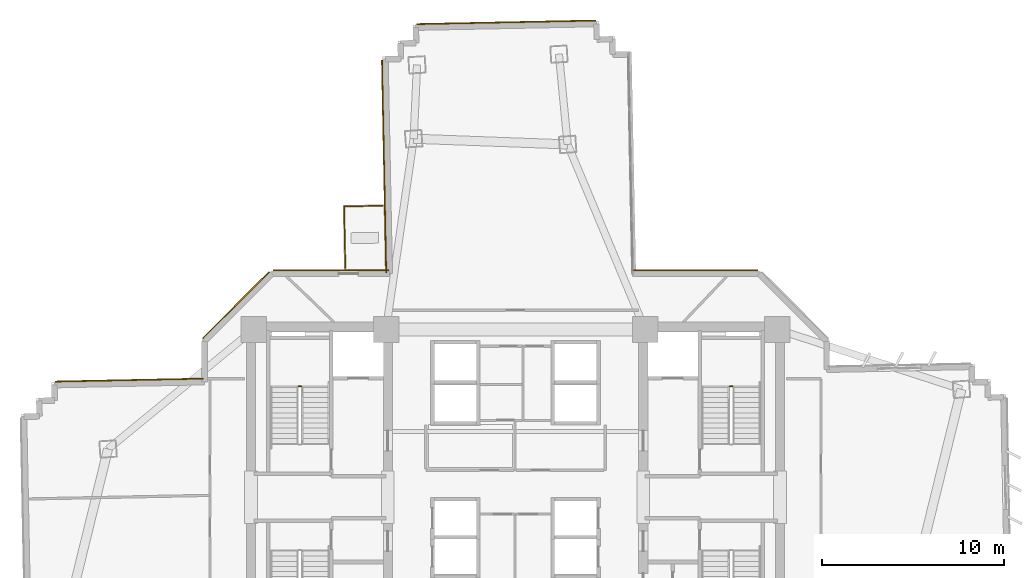
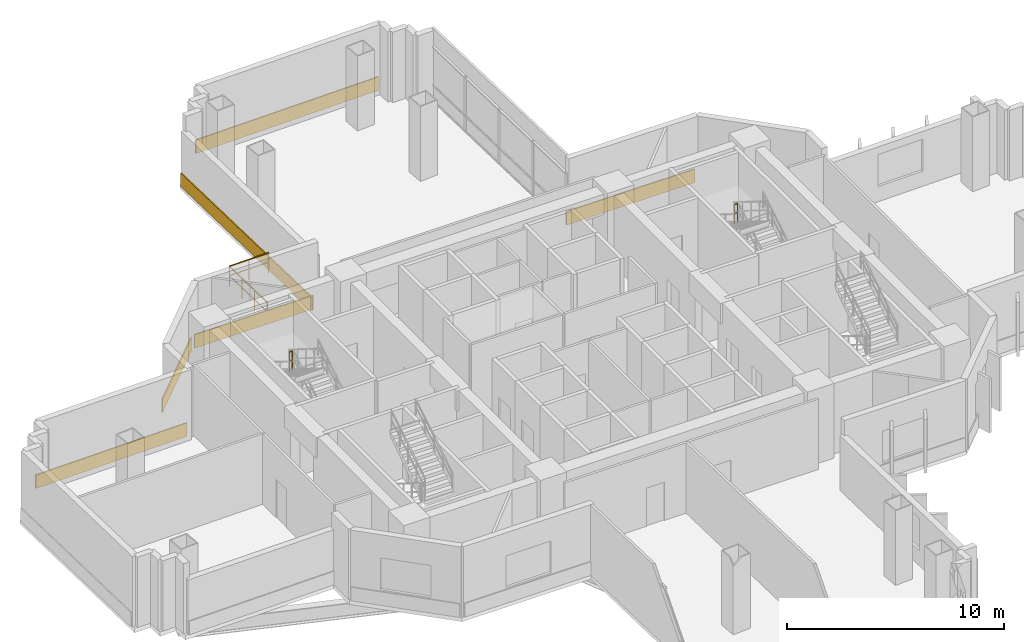
# One storey, part 14 of 15: 6 coverings, 4 railings.
"""IFC4 building model written with IfcOpenShell, lengths in metres."""

from ifc_helpers import new_model, si_unit, direction, frame, origin, origin_2d, place, context, subcontext, project, spatial, rectangle, extrude, source, transform, mapped, material, layer, layer_set, type_object, element, save


model = new_model("IFC4")

# Units and contexts
model_context = context("Model", 3, precision=1e-05, world=origin(), true_north=direction((0.0, 1.0)))
body_context = subcontext(model_context, "Body", "Model", "MODEL_VIEW")
ifc_project = project(units=[si_unit("LENGTHUNIT", "METRE"), si_unit("AREAUNIT", "SQUARE_METRE"), si_unit("VOLUMEUNIT", "CUBIC_METRE"), si_unit("PLANEANGLEUNIT", "RADIAN"), si_unit("MASSUNIT", "GRAM", prefix="KILO")], contexts=[model_context])

# Site, building, storey
site_placement = place(None, origin())
site = spatial("IfcSite", under=ifc_project, at=site_placement, CompositionType="ELEMENT")
building_placement = place(site_placement, origin())
building = spatial("IfcBuilding", under=site, at=building_placement, Name="Zahravan Cultural Tower", CompositionType="ELEMENT")
storey_placement = place(building_placement, frame((0.0, 0.0, 41.699951171875)))
storey = spatial("IfcBuildingStorey", under=building, at=storey_placement, Name="L08", CompositionType="ELEMENT", Elevation=41.699951171875)

# Railings
ifc_material_1 = material(Name="Steel ASTM A572 Grade 50", Category="steel")
railing_type_1 = type_object("IfcRailingType", Name="RL-BAL-1150", PredefinedType="BALUSTRADE", material=ifc_material_1)
railing_1_placement = place(storey_placement, frame((26.600830078125, 42.9462890625, 0.0)))
element("IfcRailing", 1, at=railing_1_placement, inside=storey, type_object=railing_type_1, Name="L08 Edge Balustrade GRD-TR-L08-NW-01", PredefinedType="BALUSTRADE", context=body_context, shape_type="SweptSolid", body=[
    extrude(rectangle(XDim=0.05, YDim=0.05, at=origin_2d()), frame((0.0, 0.0, 1.125), z_axis=(0.99980468136, 0.019763580911, 0.0), x_axis=(-0.019763580911, 0.99980468136, 0.0)), (0.0, 0.0, 1.0), 2.10009765625),
    extrude(rectangle(XDim=0.032, YDim=0.032, at=origin_2d()), frame((0.0, 0.0, 0.597900390625), z_axis=(0.99980468136, 0.019763580911, 0.0), x_axis=(-0.019763580911, 0.99980468136, 0.0)), (0.0, 0.0, 1.0), 2.10009765625),
    extrude(rectangle(XDim=0.04, YDim=0.04, at=origin_2d()), origin(), (0.0, 0.0, 1.0), 1.14990234375),
    extrude(rectangle(XDim=0.04, YDim=0.04, at=origin_2d()), frame((1.0498046875, 0.020751953125, 0.0)), (0.0, 0.0, 1.0), 1.14990234375),
    extrude(rectangle(XDim=0.04, YDim=0.04, at=origin_2d()), frame((2.099609375, 0.04150390625, 0.0)), (0.0, 0.0, 1.0), 1.14990234375),
])
railing_2_placement = place(storey_placement, frame((26.667724609375, 39.580078125, 0.0)))
element("IfcRailing", 2, at=railing_2_placement, inside=storey, type_object=railing_type_1, Name="L08 Edge Balustrade GRD-TR-L08-NW-02", PredefinedType="BALUSTRADE", context=body_context, shape_type="SweptSolid", body=[
    extrude(rectangle(XDim=0.05, YDim=0.05, at=origin_2d()), frame((0.0, 0.0, 1.125), z_axis=(-0.019868430033, 0.999802603261, 0.0), x_axis=(-0.999802603261, -0.019868430033, 0.0)), (0.0, 0.0, 1.0), 3.366943359375),
    extrude(rectangle(XDim=0.032, YDim=0.032, at=origin_2d()), frame((0.0, 0.0, 0.597900390625), z_axis=(-0.019868430033, 0.999802603261, 0.0), x_axis=(-0.999802603261, -0.019868430033, 0.0)), (0.0, 0.0, 1.0), 3.366943359375),
    extrude(rectangle(XDim=0.04, YDim=0.04, at=origin_2d()), origin(), (0.0, 0.0, 1.0), 1.14990234375),
    extrude(rectangle(XDim=0.04, YDim=0.04, at=origin_2d()), frame((-0.022216796875, 1.1220703125, 0.0)), (0.0, 0.0, 1.0), 1.14990234375),
    extrude(rectangle(XDim=0.04, YDim=0.04, at=origin_2d()), frame((-0.044677734375, 2.244140625, 0.0)), (0.0, 0.0, 1.0), 1.14990234375),
    extrude(rectangle(XDim=0.04, YDim=0.04, at=origin_2d()), frame((-0.06689453125, 3.3662109375, 0.0)), (0.0, 0.0, 1.0), 1.14990234375),
])
railing_type_2 = type_object("IfcRailingType", Name="RL-STAIR-GRD1150", PredefinedType="BALUSTRADE", material=ifc_material_1)
for number, where, name in (
    (3, (24.25, 33.080078125, 2.10009765625), "L08 ST-W1 stair guard 2"),
    (4, (47.89990234375, 33.080078125, 2.10009765625), "L08 ST-E1 stair guard 2"),
):
    element("IfcRailing", number, at=place(storey_placement, frame(where)), inside=storey, type_object=railing_type_2, Name=name, PredefinedType="BALUSTRADE", context=body_context, shape_type="SweptSolid", body=[
        extrude(rectangle(XDim=0.05, YDim=0.05, at=origin_2d()), frame((0.0, 0.0, 1.0751953125), z_axis=(-1.0, 0.0, 0.0), x_axis=(0.0, -1.0, 0.0)), (0.0, 0.0, 1.0), 0.14990234375),
        extrude(rectangle(XDim=0.032, YDim=0.032, at=origin_2d()), frame((0.0, 0.0, 0.572021484375), z_axis=(-1.0, 0.0, 0.0), x_axis=(0.0, -1.0, 0.0)), (0.0, 0.0, 1.0), 0.14990234375),
        extrude(rectangle(XDim=0.04, YDim=0.04, at=origin_2d()), origin(), (0.0, 0.0, 1.0), 1.10009765625),
        extrude(rectangle(XDim=0.04, YDim=0.04, at=origin_2d()), frame((-0.14990234375, 0.0, 0.0)), (0.0, 0.0, 1.0), 1.10009765625),
    ])

# Coverings
ifc_material_2 = material(Name="Terracotta ceramic cladding", Category="masonry")
ifc_layer = layer(ifc_material_2, 0.06005859375)
ifc_layer_set = layer_set([ifc_layer], Name="Terracotta ceramic cladding")
covering_type = type_object("IfcCoveringType", Name="COV-CLAD-TC60", PredefinedType="CLADDING", material=ifc_layer_set)
shared_shape_1 = source(origin(), body_context, "Body", "SweptSolid", [
    extrude(rectangle(XDim=9.820068359375, YDim=0.06005859375, at=origin_2d()), origin(), (0.0, 0.0, 1.0), 0.760009765625),
])
covering_1_placement = place(storey_placement, frame((35.481689453125, 53.039794921875, 0.02001953125), z_axis=(0.0, 0.0, 1.0), x_axis=(0.999802066131, 0.019895440708, 0.0)))
element("IfcCovering", 5, at=covering_1_placement, inside=storey, type_object=covering_type, Name="L08 Terracotta Spandrel Cladding 47", PredefinedType="CLADDING", context=body_context, shape_type="MappedRepresentation", body=[
    mapped(shared_shape_1, transform((0.0, 0.0, 0.0), x_axis=(1.0, 0.0, 0.0), y_axis=(0.0, 1.0, 0.0), z_axis=(0.0, 0.0, 1.0), scale=1.0)),
])
shared_shape_2 = source(origin(), body_context, "Body", "SweptSolid", [
    extrude(rectangle(XDim=5.157958984375, YDim=0.06005859375, at=origin_2d()), origin(), (0.0, 0.0, 1.0), 0.760009765625),
])
covering_2_placement = place(storey_placement, frame((20.668212890625, 37.53173828125, 0.02001953125), z_axis=(0.0, 0.0, 1.0), x_axis=(0.707106781187, 0.707106781187, 0.0)))
element("IfcCovering", 6, at=covering_2_placement, inside=storey, type_object=covering_type, Name="L08 Terracotta Spandrel Cladding 40", PredefinedType="CLADDING", context=body_context, shape_type="MappedRepresentation", body=[
    mapped(shared_shape_2, transform((0.0, 0.0, 0.0), x_axis=(1.0, 0.0, 0.0), y_axis=(0.0, 1.0, 0.0), z_axis=(0.0, 0.0, 1.0), scale=1.0)),
])
shared_shape_3 = source(origin(), body_context, "Body", "SweptSolid", [
    extrude(rectangle(XDim=8.129150390625, YDim=0.06005859375, at=origin_2d()), origin(), (0.0, 0.0, 1.0), 0.760009765625),
])
covering_3_placement = place(storey_placement, frame((14.822509765625, 33.425048828125, 0.02001953125), z_axis=(0.0, 0.0, 1.0), x_axis=(0.999801718737, 0.019912890543, 0.0)))
element("IfcCovering", 7, at=covering_3_placement, inside=storey, type_object=covering_type, Name="L08 Terracotta Spandrel Cladding 38", PredefinedType="CLADDING", context=body_context, shape_type="MappedRepresentation", body=[
    mapped(shared_shape_3, transform((0.0, 0.0, 0.0), x_axis=(1.0, 0.0, 0.0), y_axis=(0.0, 1.0, 0.0), z_axis=(0.0, 0.0, 1.0), scale=1.0)),
])
shared_shape_4 = source(origin(), body_context, "Body", "SweptSolid", [
    extrude(rectangle(XDim=6.336669921875, YDim=0.06005859375, at=origin_2d()), origin(), (0.0, 0.0, 1.0), 0.760009765625),
])
covering_4_placement = place(storey_placement, frame((25.87646484375, 39.445068359375, 0.02001953125), z_axis=(0.0, 0.0, 1.0), x_axis=(1.0, 0.0, 0.0)))
element("IfcCovering", 8, at=covering_4_placement, inside=storey, type_object=covering_type, Name="L08 Terracotta Spandrel Cladding 41", PredefinedType="CLADDING", context=body_context, shape_type="MappedRepresentation", body=[
    mapped(shared_shape_4, transform((0.0, 0.0, 0.0), x_axis=(1.0, 0.0, 0.0), y_axis=(0.0, 1.0, 0.0), z_axis=(0.0, 0.0, 1.0), scale=1.0)),
])
shared_shape_5 = source(origin(), body_context, "Body", "SweptSolid", [
    extrude(rectangle(XDim=11.6650390625, YDim=0.06005859375, at=origin_2d()), origin(), (0.0, 0.0, 1.0), 0.760009765625),
])
covering_5_placement = place(storey_placement, frame((28.792724609375, 45.1376953125, 0.02001953125), z_axis=(0.0, 0.0, 1.0), x_axis=(-0.019895440708, 0.999802066131, 0.0)))
element("IfcCovering", 9, at=covering_5_placement, inside=storey, type_object=covering_type, Name="L08 Terracotta Spandrel Cladding 42", PredefinedType="CLADDING", context=body_context, shape_type="MappedRepresentation", body=[
    mapped(shared_shape_5, transform((0.0, 0.0, 0.0), x_axis=(1.0, 0.0, 0.0), y_axis=(0.0, 1.0, 0.0), z_axis=(0.0, 0.0, 1.0), scale=1.0)),
])
shared_shape_6 = source(origin(), body_context, "Body", "SweptSolid", [
    extrude(rectangle(XDim=6.82470703125, YDim=0.06005859375, at=origin_2d()), origin(), (0.0, 0.0, 1.0), 0.760009765625),
])
covering_6_placement = place(storey_placement, frame((45.879638671875, 39.445068359375, 0.02001953125), z_axis=(0.0, 0.0, 1.0), x_axis=(1.0, 0.0, 0.0)))
element("IfcCovering", 10, at=covering_6_placement, inside=storey, type_object=covering_type, Name="L08 Terracotta Spandrel Cladding 52", PredefinedType="CLADDING", context=body_context, shape_type="MappedRepresentation", body=[
    mapped(shared_shape_6, transform((0.0, 0.0, 0.0), x_axis=(1.0, 0.0, 0.0), y_axis=(0.0, 1.0, 0.0), z_axis=(0.0, 0.0, 1.0), scale=1.0)),
])

save(model, "model.ifc")
